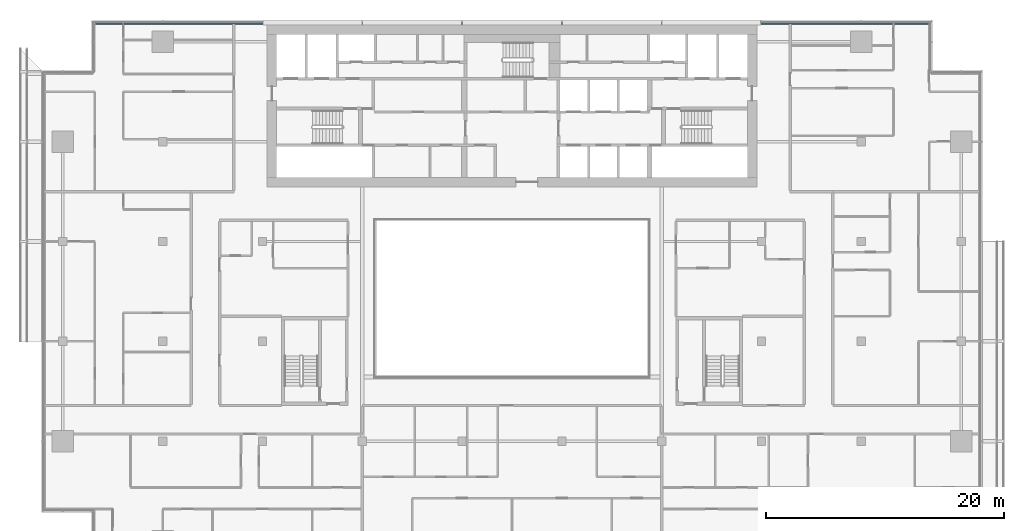
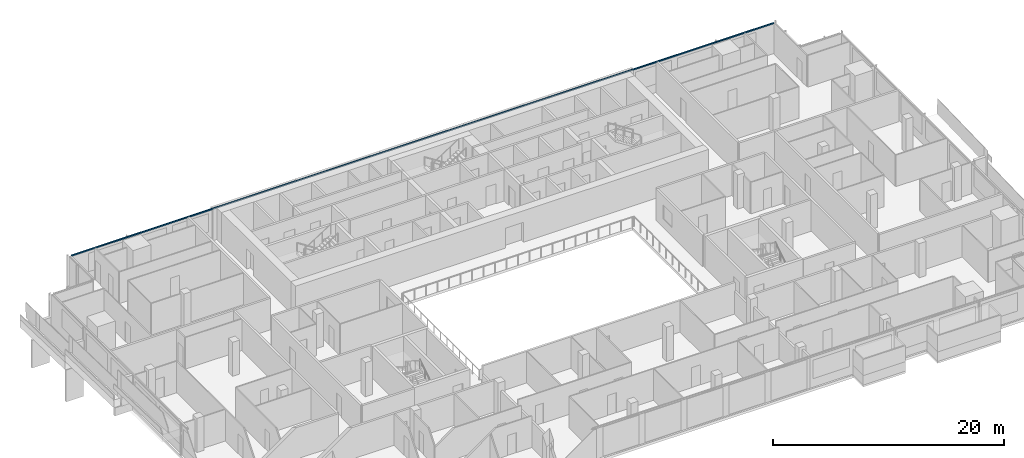
# One storey, part 9 of 29: 1 member, 1 element without a shape of its own.
"""IFC4 building model written with IfcOpenShell, lengths in metres."""

from ifc_helpers import new_model, si_unit, direction, frame, origin, origin_2d, place, context, subcontext, project, spatial, rectangle, extrude, material, material_profile, profile_set, type_object, element, aggregate, save


model = new_model("IFC4")

# Units and contexts
model_context = context("Model", 3, precision=1e-05, world=origin(), true_north=direction((0.0, 1.0)))
body_context = subcontext(model_context, "Body", "Model", "MODEL_VIEW")
ifc_project = project(units=[si_unit("LENGTHUNIT", "METRE"), si_unit("AREAUNIT", "SQUARE_METRE"), si_unit("VOLUMEUNIT", "CUBIC_METRE"), si_unit("PLANEANGLEUNIT", "RADIAN"), si_unit("MASSUNIT", "GRAM", prefix="KILO")], contexts=[model_context])

# Site, building, storey
site_placement = place(None, origin())
site = spatial("IfcSite", under=ifc_project, at=site_placement, CompositionType="ELEMENT")
building_placement = place(site_placement, origin())
building = spatial("IfcBuilding", under=site, at=building_placement, Name="Saffron Gate Tower", CompositionType="ELEMENT")
storey_placement = place(building_placement, frame((0.0, 0.0, 161.85009765625)))
storey = spatial("IfcBuildingStorey", under=building, at=storey_placement, Name="L39", CompositionType="ELEMENT", Elevation=161.85009765625)

# Curtain wall, member
ifc_material = material(Name="Aluminium, bronze anodised", Category="aluminium")
curtain_wall_type = type_object("IfcCurtainWallType", Name="CWS3 curtain wall rear facade", PredefinedType="NOTDEFINED", material=ifc_material)
curtain_wall_placement = place(storey_placement, origin())
curtain_wall = element("IfcCurtainWall", 1, at=curtain_wall_placement, inside=storey, type_object=curtain_wall_type, Name="CWS3 run 7", PredefinedType="NOTDEFINED")
ifc_material_profile = material_profile(ifc_material, rectangle(XDim=0.1201171875, YDim=0.1201171875, at=origin_2d()))
ifc_profile_set = profile_set([ifc_material_profile], Name="Aluminium, bronze anodised")
member_type = type_object("IfcMemberType", Name="CWS3 head transom", PredefinedType="USERDEFINED", material=ifc_profile_set)
member_placement = place(storey_placement, frame((122.632080078125, 75.35205078125, 3.260009765625), z_axis=(-1.0, 0.0, 0.0), x_axis=(0.0, -1.0, 0.0)))
member = element("IfcMember", 2, at=member_placement, type_object=member_type, Name="CWS3 head transom", ObjectType="TRANSOM", PredefinedType="USERDEFINED", context=body_context, shape_type="SweptSolid", body=[
    extrude(rectangle(XDim=0.1201171875, YDim=0.1201171875, at=origin_2d()), origin(), (0.0, 0.0, 1.0), 70.06396484375),
])
aggregate(curtain_wall, [member])

save(model, "model.ifc")
